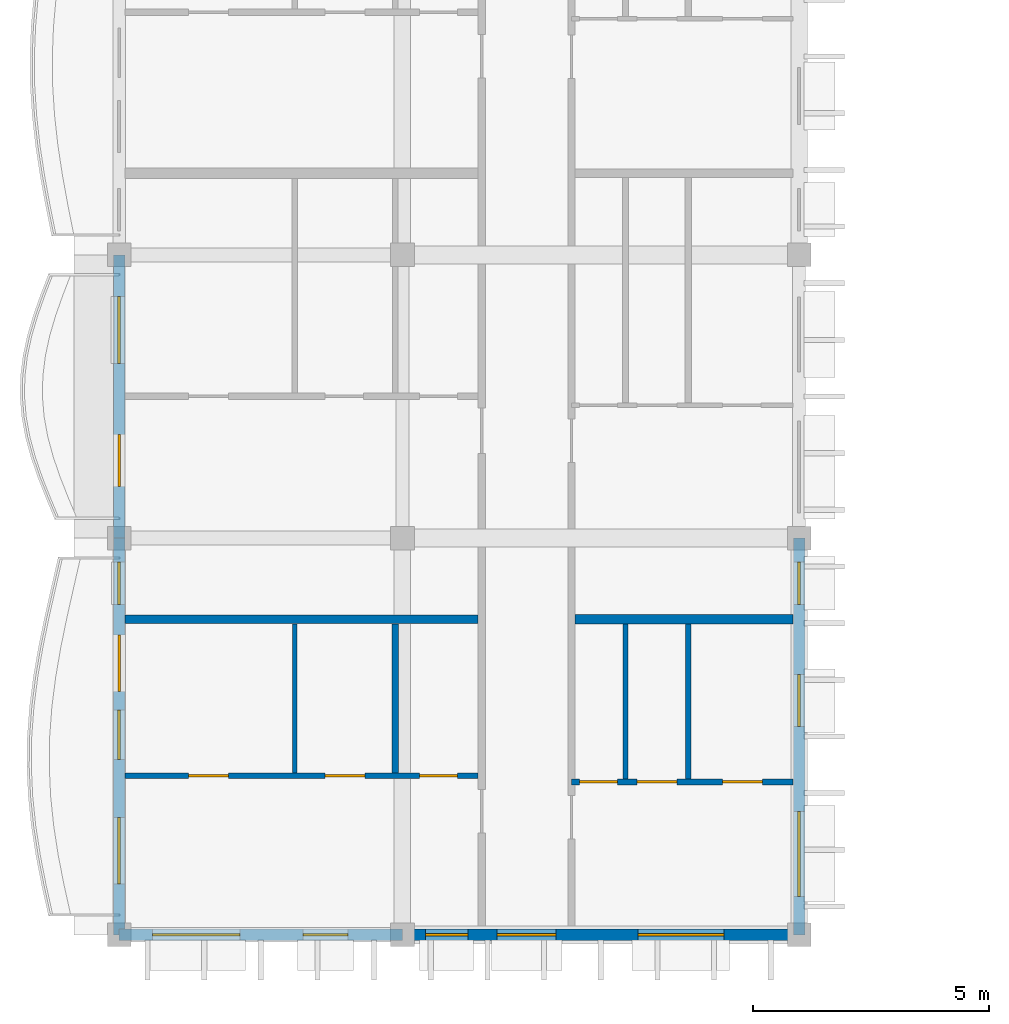
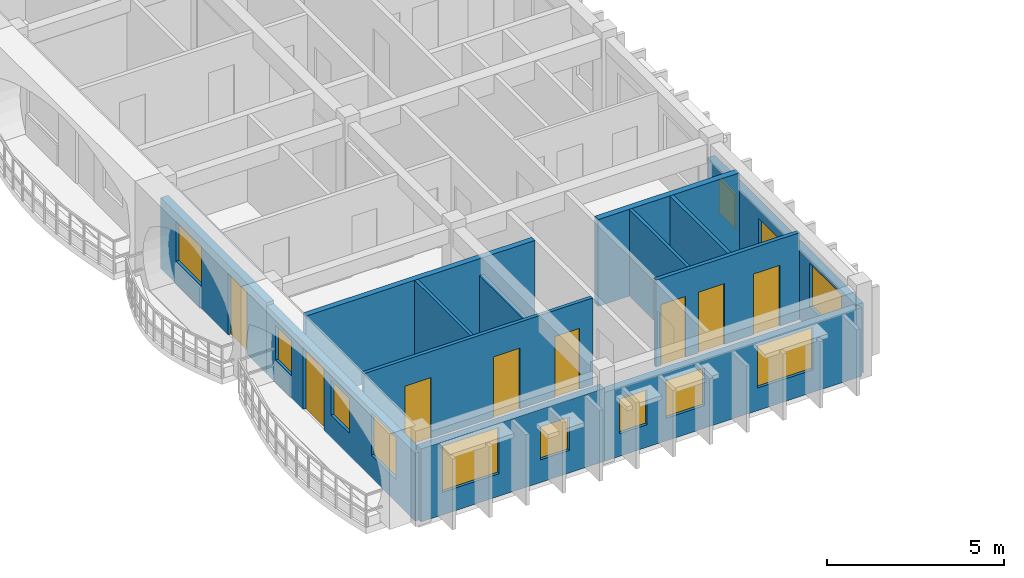
# One storey, part 6 of 28: 13 walls, 12 windows, 8 doors, 20 openings.
"""IFC4 building model written with IfcOpenShell, lengths in metres."""

from ifc_helpers import new_model, si_unit, direction, frame, frame_2d, origin, place, context, subcontext, project, spatial, rectangle, extrude, material, layer, layer_set, type_object, element, fill, save


model = new_model("IFC4")

# Units and contexts
model_context = context("Model", 3, precision=1e-05, world=origin(), true_north=direction((0.0, 1.0)))
body_context = subcontext(model_context, "Body", "Model", "MODEL_VIEW")
ifc_project = project(units=[si_unit("LENGTHUNIT", "METRE"), si_unit("AREAUNIT", "SQUARE_METRE"), si_unit("VOLUMEUNIT", "CUBIC_METRE"), si_unit("PLANEANGLEUNIT", "RADIAN"), si_unit("MASSUNIT", "GRAM", prefix="KILO"), si_unit("THERMODYNAMICTEMPERATUREUNIT", "KELVIN")], contexts=[model_context])

# Site, building, storey
site_placement = place(None, origin())
site = spatial("IfcSite", under=ifc_project, at=site_placement, CompositionType="ELEMENT")
building_placement = place(site_placement, origin())
building = spatial("IfcBuilding", under=site, at=building_placement, Name="Thalorik Housing Commons", CompositionType="ELEMENT")
storey_placement = place(building_placement, frame((0.0, 0.0, 41.10009765625)))
storey = spatial("IfcBuildingStorey", under=building, at=storey_placement, Name="L12", CompositionType="ELEMENT", Elevation=41.10009765625)

# Wall, openings, door, window
ifc_material_1 = material(Name="White precast concrete C40/50", Category="concrete")
ifc_layer_1 = layer(ifc_material_1, 0.2451171875, Name="White precast concrete C40/50", Category="concrete")
ifc_layer_set_1 = layer_set([ifc_layer_1], Name="White precast concrete C40/50")
wall_type_1 = type_object("IfcWallType", Name="ARC-WAL-EXT-245", PredefinedType="STANDARD", material=ifc_layer_set_1)
wall_1_placement = place(storey_placement, frame((8.39990234375, 100.800048828125, 0.0), z_axis=(0.0, 0.0, 1.0), x_axis=(0.0, -1.0, 0.0)))
wall_1 = element("IfcWall", 1, at=wall_1_placement, inside=storey, type_object=wall_type_1, Name="L12 Exterior Wall WAL-EXT-L12-A-0308", PredefinedType="STANDARD", context=body_context, shape_type="SweptSolid", body=[
    extrude(rectangle(XDim=6.0, YDim=0.2451171875, at=frame_2d((3.0, 0.0))), origin(), (0.0, 0.0, 1.0), 2.44482421875),
])
opening_1_placement = place(wall_1_placement, frame((3.802490234375, 0.0, 0.0)))
opening_1 = element("IfcOpeningElement", 2, at=opening_1_placement, cuts=wall_1, Name="Opening ED-0099", PredefinedType="OPENING", context=body_context, shape_type="SweptSolid", body=[
    extrude(rectangle(XDim=1.10009765625, YDim=2.14990234375, at=frame_2d((0.550048828125, 1.074951171875))), frame((0.0, 0.132568359375, 0.0), z_axis=(0.0, -1.0, 0.0), x_axis=(1.0, 0.0, 0.0)), (0.0, 0.0, 1.0), 0.26513671875),
])
opening_2_placement = place(wall_1_placement, frame((0.882568359375, 0.0, 0.780029296875)))
opening_2 = element("IfcOpeningElement", 3, at=opening_2_placement, cuts=wall_1, Name="Opening W-50", PredefinedType="OPENING", context=body_context, shape_type="SweptSolid", body=[
    extrude(rectangle(XDim=1.419921875, YDim=1.3798828125, at=frame_2d((0.7099609375, 0.68994140625))), frame((0.0, 0.132568359375, 0.0), z_axis=(0.0, -1.0, 0.0), x_axis=(1.0, 0.0, 0.0)), (0.0, 0.0, 1.0), 0.26513671875),
])
ifc_material_2 = material(Name="Anodised aluminium and laminated safety glass", Category="aluminium")
door_type_1 = type_object("IfcDoorType", Name="ARC-DR-BAL-1100", OperationType="NOTDEFINED", PredefinedType="DOOR", material=ifc_material_2)
door_1_placement = place(opening_1_placement, frame((1.10009765625, 0.0, 0.0), z_axis=(0.0, 0.0, 1.0), x_axis=(-1.0, 0.0, 0.0)))
door_1 = element("IfcDoor", 4, at=door_1_placement, inside=storey, type_object=door_type_1, Name="L12 Block A Balcony Glazed Door", OperationType="SINGLE_SWING_RIGHT", OverallHeight=2.14990234375, OverallWidth=1.10009765625, PredefinedType="DOOR", context=body_context, shape_type="SweptSolid", body=[
    extrude(rectangle(XDim=1.10009765625, YDim=2.14990234375, at=frame_2d((0.550048828125, 1.074951171875))), frame((0.0, 0.02490234375, 0.0), z_axis=(0.0, -1.0, 0.0), x_axis=(1.0, 0.0, 0.0)), (0.0, 0.0, 1.0), 0.050048828125),
])
fill(opening_1, door_1)
ifc_material_3 = material(Name="Anodised aluminium and solar-control low-E glass", Category="aluminium")
window_type_1 = type_object("IfcWindowType", Name="ARC-WIN-50", PartitioningType="SINGLE_PANEL", PredefinedType="WINDOW", material=ifc_material_3)
window_1_placement = place(opening_2_placement, origin())
window_1 = element("IfcWindow", 5, at=window_1_placement, inside=storey, type_object=window_type_1, Name="L12 Facade Window 552", OverallHeight=1.3798828125, OverallWidth=1.419921875, PartitioningType="SINGLE_PANEL", PredefinedType="WINDOW", context=body_context, shape_type="SweptSolid", body=[
    extrude(rectangle(XDim=1.419921875, YDim=1.3798828125, at=frame_2d((0.7099609375, 0.68994140625))), frame((0.0, 0.030029296875, 0.0), z_axis=(0.0, -1.0, 0.0), x_axis=(1.0, 0.0, 0.0)), (0.0, 0.0, 1.0), 0.06005859375),
])
fill(opening_2, window_1)

# Wall, openings, door, windows
wall_2_placement = place(storey_placement, frame((8.39990234375, 94.800048828125, 0.0), z_axis=(0.0, 0.0, 1.0), x_axis=(0.0, -1.0, 0.0)))
wall_2 = element("IfcWall", 6, at=wall_2_placement, inside=storey, type_object=wall_type_1, Name="L12 Exterior Wall WAL-EXT-L12-A-0309", PredefinedType="STANDARD", context=body_context, shape_type="SweptSolid", body=[
    extrude(rectangle(XDim=8.400146484375, YDim=0.2451171875, at=frame_2d((4.2001953125, 0.0))), origin(), (0.0, 0.0, 1.0), 2.344970703125),
])
opening_3_placement = place(wall_2_placement, frame((2.050048828125, 0.0, 0.0)))
opening_3 = element("IfcOpeningElement", 7, at=opening_3_placement, cuts=wall_2, Name="Opening ED-0100", PredefinedType="OPENING", context=body_context, shape_type="SweptSolid", body=[
    extrude(rectangle(XDim=1.199951171875, YDim=2.14990234375, at=frame_2d((0.60009765625, 1.074951171875))), frame((0.0, 0.132568359375, 0.0), z_axis=(0.0, -1.0, 0.0), x_axis=(1.0, 0.0, 0.0)), (0.0, 0.0, 1.0), 0.26513671875),
])
opening_4_placement = place(wall_2_placement, frame((0.5048828125, 0.0, 0.780029296875)))
opening_4 = element("IfcOpeningElement", 8, at=opening_4_placement, cuts=wall_2, Name="Opening W-01", PredefinedType="OPENING", context=body_context, shape_type="SweptSolid", body=[
    extrude(rectangle(XDim=0.89990234375, YDim=1.199951171875, at=frame_2d((0.449951171875, 0.60009765625))), frame((0.0, 0.132568359375, 0.0), z_axis=(0.0, -1.0, 0.0), x_axis=(1.0, 0.0, 0.0)), (0.0, 0.0, 1.0), 0.26513671875),
])
opening_5_placement = place(wall_2_placement, frame((3.639892578125, 0.0, 0.780029296875)))
opening_5 = element("IfcOpeningElement", 9, at=opening_5_placement, cuts=wall_2, Name="Opening W-44", PredefinedType="OPENING", context=body_context, shape_type="SweptSolid", body=[
    extrude(rectangle(XDim=1.050048828125, YDim=1.199951171875, at=frame_2d((0.52490234375, 0.60009765625))), frame((0.0, 0.132568359375, 0.0), z_axis=(0.0, -1.0, 0.0), x_axis=(1.0, 0.0, 0.0)), (0.0, 0.0, 1.0), 0.26513671875),
])
opening_6_placement = place(wall_2_placement, frame((5.919921875, 0.0, 0.780029296875)))
opening_6 = element("IfcOpeningElement", 10, at=opening_6_placement, cuts=wall_2, Name="Opening W-08", PredefinedType="OPENING", context=body_context, shape_type="SweptSolid", body=[
    extrude(rectangle(XDim=1.39990234375, YDim=1.449951171875, at=frame_2d((0.699951171875, 0.72509765625))), frame((0.0, 0.132568359375, 0.0), z_axis=(0.0, -1.0, 0.0), x_axis=(1.0, 0.0, 0.0)), (0.0, 0.0, 1.0), 0.26513671875),
])
door_type_2 = type_object("IfcDoorType", Name="ARC-DR-BAL-1200", OperationType="NOTDEFINED", PredefinedType="DOOR", material=ifc_material_2)
door_2_placement = place(opening_3_placement, frame((1.199951171875, 0.0, 0.0), z_axis=(0.0, 0.0, 1.0), x_axis=(-1.0, 0.0, 0.0)))
door_2 = element("IfcDoor", 11, at=door_2_placement, inside=storey, type_object=door_type_2, Name="L12 Block A Balcony Glazed Door", OperationType="SINGLE_SWING_LEFT", OverallHeight=2.14990234375, OverallWidth=1.199951171875, PredefinedType="DOOR", context=body_context, shape_type="SweptSolid", body=[
    extrude(rectangle(XDim=1.199951171875, YDim=2.14990234375, at=frame_2d((0.60009765625, 1.074951171875))), frame((0.0, 0.02490234375, 0.0), z_axis=(0.0, -1.0, 0.0), x_axis=(1.0, 0.0, 0.0)), (0.0, 0.0, 1.0), 0.050048828125),
])
fill(opening_3, door_2)
window_type_2 = type_object("IfcWindowType", Name="ARC-WIN-01", PartitioningType="SINGLE_PANEL", PredefinedType="WINDOW", material=ifc_material_3)
window_2_placement = place(opening_4_placement, origin())
window_2 = element("IfcWindow", 12, at=window_2_placement, inside=storey, type_object=window_type_2, Name="L12 Facade Window 553", OverallHeight=1.199951171875, OverallWidth=0.89990234375, PartitioningType="SINGLE_PANEL", PredefinedType="WINDOW", context=body_context, shape_type="SweptSolid", body=[
    extrude(rectangle(XDim=0.89990234375, YDim=1.199951171875, at=frame_2d((0.449951171875, 0.60009765625))), frame((0.0, 0.030029296875, 0.0), z_axis=(0.0, -1.0, 0.0), x_axis=(1.0, 0.0, 0.0)), (0.0, 0.0, 1.0), 0.06005859375),
])
fill(opening_4, window_2)
window_type_3 = type_object("IfcWindowType", Name="ARC-WIN-08", PartitioningType="SINGLE_PANEL", PredefinedType="WINDOW", material=ifc_material_3)
window_3_placement = place(opening_6_placement, origin())
window_3 = element("IfcWindow", 13, at=window_3_placement, inside=storey, type_object=window_type_3, Name="L12 Facade Window 555", OverallHeight=1.449951171875, OverallWidth=1.39990234375, PartitioningType="SINGLE_PANEL", PredefinedType="WINDOW", context=body_context, shape_type="SweptSolid", body=[
    extrude(rectangle(XDim=1.39990234375, YDim=1.449951171875, at=frame_2d((0.699951171875, 0.72509765625))), frame((0.0, 0.030029296875, 0.0), z_axis=(0.0, -1.0, 0.0), x_axis=(1.0, 0.0, 0.0)), (0.0, 0.0, 1.0), 0.06005859375),
])
fill(opening_6, window_3)
window_type_4 = type_object("IfcWindowType", Name="ARC-WIN-44", PartitioningType="SINGLE_PANEL", PredefinedType="WINDOW", material=ifc_material_3)
window_4_placement = place(opening_5_placement, origin())
window_4 = element("IfcWindow", 14, at=window_4_placement, inside=storey, type_object=window_type_4, Name="L12 Facade Window 554", OverallHeight=1.199951171875, OverallWidth=1.050048828125, PartitioningType="SINGLE_PANEL", PredefinedType="WINDOW", context=body_context, shape_type="SweptSolid", body=[
    extrude(rectangle(XDim=1.050048828125, YDim=1.199951171875, at=frame_2d((0.52490234375, 0.60009765625))), frame((0.0, 0.030029296875, 0.0), z_axis=(0.0, -1.0, 0.0), x_axis=(1.0, 0.0, 0.0)), (0.0, 0.0, 1.0), 0.06005859375),
])
fill(opening_5, window_4)

# Wall, openings, windows
wall_3_placement = place(storey_placement, frame((8.39990234375, 86.39990234375, 0.0), z_axis=(0.0, 0.0, 1.0), x_axis=(1.0, 0.0, 0.0)))
wall_3 = element("IfcWall", 15, at=wall_3_placement, inside=storey, type_object=wall_type_1, Name="L12 Exterior Wall WAL-EXT-L12-A-0310", PredefinedType="STANDARD", context=body_context, shape_type="SweptSolid", body=[
    extrude(rectangle(XDim=6.0, YDim=0.2451171875, at=frame_2d((3.0, 0.0))), origin(), (0.0, 0.0, 1.0), 2.52490234375),
])
opening_7_placement = place(wall_3_placement, frame((0.705078125, 0.0, 0.780029296875)))
opening_7 = element("IfcOpeningElement", 16, at=opening_7_placement, cuts=wall_3, Name="Opening W-20", PredefinedType="OPENING", context=body_context, shape_type="SweptSolid", body=[
    extrude(rectangle(XDim=1.85009765625, YDim=1.60009765625, at=frame_2d((0.925048828125, 0.800048828125))), frame((0.0, 0.132568359375, 0.0), z_axis=(0.0, -1.0, 0.0), x_axis=(1.0, 0.0, 0.0)), (0.0, 0.0, 1.0), 0.26513671875),
])
opening_8_placement = place(wall_3_placement, frame((3.89501953125, 0.0, 0.780029296875)))
opening_8 = element("IfcOpeningElement", 17, at=opening_8_placement, cuts=wall_3, Name="Opening W-43", PredefinedType="OPENING", context=body_context, shape_type="SweptSolid", body=[
    extrude(rectangle(XDim=0.949951171875, YDim=1.14990234375, at=frame_2d((0.47509765625, 0.574951171875))), frame((0.0, 0.132568359375, 0.0), z_axis=(0.0, -1.0, 0.0), x_axis=(1.0, 0.0, 0.0)), (0.0, 0.0, 1.0), 0.26513671875),
])
window_type_5 = type_object("IfcWindowType", Name="ARC-WIN-20", PartitioningType="DOUBLE_PANEL_VERTICAL", PredefinedType="WINDOW", material=ifc_material_3)
window_5_placement = place(opening_7_placement, origin())
window_5 = element("IfcWindow", 18, at=window_5_placement, inside=storey, type_object=window_type_5, Name="L12 Facade Window 556", OverallHeight=1.60009765625, OverallWidth=1.85009765625, PartitioningType="DOUBLE_PANEL_VERTICAL", PredefinedType="WINDOW", context=body_context, shape_type="SweptSolid", body=[
    extrude(rectangle(XDim=1.85009765625, YDim=1.60009765625, at=frame_2d((0.925048828125, 0.800048828125))), frame((0.0, 0.030029296875, 0.0), z_axis=(0.0, -1.0, 0.0), x_axis=(1.0, 0.0, 0.0)), (0.0, 0.0, 1.0), 0.06005859375),
])
fill(opening_7, window_5)
window_type_6 = type_object("IfcWindowType", Name="ARC-WIN-43", PartitioningType="SINGLE_PANEL", PredefinedType="WINDOW", material=ifc_material_3)
window_6_placement = place(opening_8_placement, origin())
window_6 = element("IfcWindow", 19, at=window_6_placement, inside=storey, type_object=window_type_6, Name="L12 Facade Window 557", OverallHeight=1.14990234375, OverallWidth=0.949951171875, PartitioningType="SINGLE_PANEL", PredefinedType="WINDOW", context=body_context, shape_type="SweptSolid", body=[
    extrude(rectangle(XDim=0.949951171875, YDim=1.14990234375, at=frame_2d((0.47509765625, 0.574951171875))), frame((0.0, 0.030029296875, 0.0), z_axis=(0.0, -1.0, 0.0), x_axis=(1.0, 0.0, 0.0)), (0.0, 0.0, 1.0), 0.06005859375),
])
fill(opening_8, window_6)

wall_4_placement = place(storey_placement, frame((14.39990234375, 86.39990234375, 0.0), z_axis=(0.0, 0.0, 1.0), x_axis=(1.0, 0.0, 0.0)))
wall_4 = element("IfcWall", 20, at=wall_4_placement, inside=storey, type_object=wall_type_1, Name="L12 Exterior Wall WAL-EXT-L12-A-0311", PredefinedType="STANDARD", context=body_context, shape_type="SweptSolid", body=[
    extrude(rectangle(XDim=8.400146484375, YDim=0.2451171875, at=frame_2d((4.2001953125, 0.0))), origin(), (0.0, 0.0, 1.0), 2.375),
])
opening_9_placement = place(wall_4_placement, frame((0.485107421875, 0.0, 0.780029296875)))
opening_9 = element("IfcOpeningElement", 21, at=opening_9_placement, cuts=wall_4, Name="Opening W-01", PredefinedType="OPENING", context=body_context, shape_type="SweptSolid", body=[
    extrude(rectangle(XDim=0.89990234375, YDim=1.199951171875, at=frame_2d((0.449951171875, 0.60009765625))), frame((0.0, 0.132568359375, 0.0), z_axis=(0.0, -1.0, 0.0), x_axis=(1.0, 0.0, 0.0)), (0.0, 0.0, 1.0), 0.26513671875),
])
opening_10_placement = place(wall_4_placement, frame((2.0048828125, 0.0, 0.780029296875)))
opening_10 = element("IfcOpeningElement", 22, at=opening_10_placement, cuts=wall_4, Name="Opening W-46", PredefinedType="OPENING", context=body_context, shape_type="SweptSolid", body=[
    extrude(rectangle(XDim=1.25, YDim=1.300048828125, at=frame_2d((0.625, 0.64990234375))), frame((0.0, 0.132568359375, 0.0), z_axis=(0.0, -1.0, 0.0), x_axis=(1.0, 0.0, 0.0)), (0.0, 0.0, 1.0), 0.26513671875),
])
opening_11_placement = place(wall_4_placement, frame((4.985107421875, 0.0, 0.780029296875)))
opening_11 = element("IfcOpeningElement", 23, at=opening_11_placement, cuts=wall_4, Name="Opening W-58", PredefinedType="OPENING", context=body_context, shape_type="SweptSolid", body=[
    extrude(rectangle(XDim=1.820068359375, YDim=1.4599609375, at=frame_2d((0.91015625, 0.72998046875))), frame((0.0, 0.132568359375, 0.0), z_axis=(0.0, -1.0, 0.0), x_axis=(1.0, 0.0, 0.0)), (0.0, 0.0, 1.0), 0.26513671875),
])
window_7_placement = place(opening_9_placement, origin())
window_7 = element("IfcWindow", 24, at=window_7_placement, inside=storey, type_object=window_type_2, Name="L12 Facade Window 558", OverallHeight=1.199951171875, OverallWidth=0.89990234375, PartitioningType="SINGLE_PANEL", PredefinedType="WINDOW", context=body_context, shape_type="SweptSolid", body=[
    extrude(rectangle(XDim=0.89990234375, YDim=1.199951171875, at=frame_2d((0.449951171875, 0.60009765625))), frame((0.0, 0.030029296875, 0.0), z_axis=(0.0, -1.0, 0.0), x_axis=(1.0, 0.0, 0.0)), (0.0, 0.0, 1.0), 0.06005859375),
])
fill(opening_9, window_7)
window_type_7 = type_object("IfcWindowType", Name="ARC-WIN-46", PartitioningType="SINGLE_PANEL", PredefinedType="WINDOW", material=ifc_material_3)
window_8_placement = place(opening_10_placement, origin())
window_8 = element("IfcWindow", 25, at=window_8_placement, inside=storey, type_object=window_type_7, Name="L12 Facade Window 559", OverallHeight=1.300048828125, OverallWidth=1.25, PartitioningType="SINGLE_PANEL", PredefinedType="WINDOW", context=body_context, shape_type="SweptSolid", body=[
    extrude(rectangle(XDim=1.25, YDim=1.300048828125, at=frame_2d((0.625, 0.64990234375))), frame((0.0, 0.030029296875, 0.0), z_axis=(0.0, -1.0, 0.0), x_axis=(1.0, 0.0, 0.0)), (0.0, 0.0, 1.0), 0.06005859375),
])
fill(opening_10, window_8)
window_type_8 = type_object("IfcWindowType", Name="ARC-WIN-58", PartitioningType="DOUBLE_PANEL_VERTICAL", PredefinedType="WINDOW", material=ifc_material_3)
window_9_placement = place(opening_11_placement, origin())
window_9 = element("IfcWindow", 26, at=window_9_placement, inside=storey, type_object=window_type_8, Name="L12 Facade Window 560", OverallHeight=1.4599609375, OverallWidth=1.820068359375, PartitioningType="DOUBLE_PANEL_VERTICAL", PredefinedType="WINDOW", context=body_context, shape_type="SweptSolid", body=[
    extrude(rectangle(XDim=1.820068359375, YDim=1.4599609375, at=frame_2d((0.91015625, 0.72998046875))), frame((0.0, 0.030029296875, 0.0), z_axis=(0.0, -1.0, 0.0), x_axis=(1.0, 0.0, 0.0)), (0.0, 0.0, 1.0), 0.06005859375),
])
fill(opening_11, window_9)

wall_5_placement = place(storey_placement, frame((22.800048828125, 86.39990234375, 0.0), z_axis=(0.0, 0.0, 1.0), x_axis=(0.0, 1.0, 0.0)))
wall_5 = element("IfcWall", 27, at=wall_5_placement, inside=storey, type_object=wall_type_1, Name="L12 Exterior Wall WAL-EXT-L12-A-0312", PredefinedType="STANDARD", context=body_context, shape_type="SweptSolid", body=[
    extrude(rectangle(XDim=8.400146484375, YDim=0.2451171875, at=frame_2d((4.2001953125, 0.0))), origin(), (0.0, 0.0, 1.0), 2.4248046875),
])
opening_12_placement = place(wall_5_placement, frame((0.813720703125, 0.0, 0.780029296875)))
opening_12 = element("IfcOpeningElement", 28, at=opening_12_placement, cuts=wall_5, Name="Opening W-18", PredefinedType="OPENING", context=body_context, shape_type="SweptSolid", body=[
    extrude(rectangle(XDim=1.800048828125, YDim=1.5, at=frame_2d((0.89990234375, 0.75))), frame((0.0, 0.132568359375, 0.0), z_axis=(0.0, -1.0, 0.0), x_axis=(1.0, 0.0, 0.0)), (0.0, 0.0, 1.0), 0.26513671875),
])
opening_13_placement = place(wall_5_placement, frame((4.40869140625, 0.0, 0.780029296875)))
opening_13 = element("IfcOpeningElement", 29, at=opening_13_placement, cuts=wall_5, Name="Opening W-03", PredefinedType="OPENING", context=body_context, shape_type="SweptSolid", body=[
    extrude(rectangle(XDim=1.10009765625, YDim=1.300048828125, at=frame_2d((0.550048828125, 0.64990234375))), frame((0.0, 0.132568359375, 0.0), z_axis=(0.0, -1.0, 0.0), x_axis=(1.0, 0.0, 0.0)), (0.0, 0.0, 1.0), 0.26513671875),
])
opening_14_placement = place(wall_5_placement, frame((6.9951171875, 0.0, 0.780029296875)))
opening_14 = element("IfcOpeningElement", 30, at=opening_14_placement, cuts=wall_5, Name="Opening W-01", PredefinedType="OPENING", context=body_context, shape_type="SweptSolid", body=[
    extrude(rectangle(XDim=0.89990234375, YDim=1.199951171875, at=frame_2d((0.449951171875, 0.60009765625))), frame((0.0, 0.132568359375, 0.0), z_axis=(0.0, -1.0, 0.0), x_axis=(1.0, 0.0, 0.0)), (0.0, 0.0, 1.0), 0.26513671875),
])
window_10_placement = place(opening_14_placement, origin())
window_10 = element("IfcWindow", 31, at=window_10_placement, inside=storey, type_object=window_type_2, Name="L12 Facade Window 563", OverallHeight=1.199951171875, OverallWidth=0.89990234375, PartitioningType="SINGLE_PANEL", PredefinedType="WINDOW", context=body_context, shape_type="SweptSolid", body=[
    extrude(rectangle(XDim=0.89990234375, YDim=1.199951171875, at=frame_2d((0.449951171875, 0.60009765625))), frame((0.0, 0.030029296875, 0.0), z_axis=(0.0, -1.0, 0.0), x_axis=(1.0, 0.0, 0.0)), (0.0, 0.0, 1.0), 0.06005859375),
])
fill(opening_14, window_10)
window_type_9 = type_object("IfcWindowType", Name="ARC-WIN-03", PartitioningType="SINGLE_PANEL", PredefinedType="WINDOW", material=ifc_material_3)
window_11_placement = place(opening_13_placement, origin())
window_11 = element("IfcWindow", 32, at=window_11_placement, inside=storey, type_object=window_type_9, Name="L12 Facade Window 562", OverallHeight=1.300048828125, OverallWidth=1.10009765625, PartitioningType="SINGLE_PANEL", PredefinedType="WINDOW", context=body_context, shape_type="SweptSolid", body=[
    extrude(rectangle(XDim=1.10009765625, YDim=1.300048828125, at=frame_2d((0.550048828125, 0.64990234375))), frame((0.0, 0.030029296875, 0.0), z_axis=(0.0, -1.0, 0.0), x_axis=(1.0, 0.0, 0.0)), (0.0, 0.0, 1.0), 0.06005859375),
])
fill(opening_13, window_11)
window_type_10 = type_object("IfcWindowType", Name="ARC-WIN-18", PartitioningType="DOUBLE_PANEL_VERTICAL", PredefinedType="WINDOW", material=ifc_material_3)
window_12_placement = place(opening_12_placement, origin())
window_12 = element("IfcWindow", 33, at=window_12_placement, inside=storey, type_object=window_type_10, Name="L12 Facade Window 561", OverallHeight=1.5, OverallWidth=1.800048828125, PartitioningType="DOUBLE_PANEL_VERTICAL", PredefinedType="WINDOW", context=body_context, shape_type="SweptSolid", body=[
    extrude(rectangle(XDim=1.800048828125, YDim=1.5, at=frame_2d((0.89990234375, 0.75))), frame((0.0, 0.030029296875, 0.0), z_axis=(0.0, -1.0, 0.0), x_axis=(1.0, 0.0, 0.0)), (0.0, 0.0, 1.0), 0.06005859375),
])
fill(opening_12, window_12)

# Walls
ifc_material_4 = material(Name="Gypsum light stud partition", Category="masonry")
ifc_layer_2 = layer(ifc_material_4, 0.10009765625, Name="Gypsum light stud partition", Category="masonry")
ifc_layer_set_2 = layer_set([ifc_layer_2], Name="Gypsum light stud partition")
wall_type_2 = type_object("IfcWallType", Name="ARC-WAL-PART-100", PredefinedType="PARTITIONING", material=ifc_layer_set_2)
wall_6_placement = place(storey_placement, frame((12.11767578125, 89.82958984375, 0.0), z_axis=(0.0, 0.0, 1.0), x_axis=(0.0, 1.0, 0.0)))
element("IfcWall", 34, at=wall_6_placement, inside=storey, type_object=wall_type_2, Name="L12 Unit 1 Bedroom Partition", PredefinedType="PARTITIONING", context=body_context, shape_type="SweptSolid", body=[
    extrude(rectangle(XDim=3.156005859375, YDim=0.10009765625, at=frame_2d((1.578125, 0.0))), origin(), (0.0, 0.0, 1.0), 3.0),
])
wall_7_placement = place(storey_placement, frame((19.122314453125, 89.7021484375, 0.0), z_axis=(0.0, 0.0, 1.0), x_axis=(0.0, 1.0, 0.0)))
element("IfcWall", 35, at=wall_7_placement, inside=storey, type_object=wall_type_2, Name="L12 Unit 1B Wet Wall", PredefinedType="PARTITIONING", context=body_context, shape_type="SweptSolid", body=[
    extrude(rectangle(XDim=3.27587890625, YDim=0.10009765625, at=frame_2d((1.637939453125, 0.0))), origin(), (0.0, 0.0, 1.0), 3.0),
])

# Wall, openings, doors
ifc_material_5 = material(Name="Gypsum moisture-resistant partition", Category="masonry")
ifc_layer_3 = layer(ifc_material_5, 0.114990234375, Name="Gypsum moisture-resistant partition", Category="masonry")
ifc_layer_set_3 = layer_set([ifc_layer_3], Name="Gypsum moisture-resistant partition")
wall_type_3 = type_object("IfcWallType", Name="ARC-WAL-PART-115", PredefinedType="PARTITIONING", material=ifc_layer_set_3)
wall_8_placement = place(storey_placement, frame((8.5244140625, 89.77001953125, 0.0), z_axis=(0.0, 0.0, 1.0), x_axis=(1.0, 0.0, 0.0)))
wall_8 = element("IfcWall", 36, at=wall_8_placement, inside=storey, type_object=wall_type_3, Name="L12 Unit 1 Spine Partition", PredefinedType="PARTITIONING", context=body_context, shape_type="SweptSolid", body=[
    extrude(rectangle(XDim=7.47119140625, YDim=0.114990234375, at=frame_2d((3.735595703125, 0.0))), origin(), (0.0, 0.0, 1.0), 3.0),
])
opening_15_placement = place(wall_8_placement, frame((1.33935546875, 0.0, 0.0)))
opening_15 = element("IfcOpeningElement", 37, at=opening_15_placement, cuts=wall_8, Name="Opening ID-0901", PredefinedType="OPENING", context=body_context, shape_type="SweptSolid", body=[
    extrude(rectangle(XDim=0.85009765625, YDim=2.10009765625, at=frame_2d((0.425048828125, 1.050048828125))), frame((0.0, 0.0673828125, 0.0), z_axis=(0.0, -1.0, 0.0), x_axis=(1.0, 0.0, 0.0)), (0.0, 0.0, 1.0), 0.135009765625),
])
opening_16_placement = place(wall_8_placement, frame((4.23486328125, 0.0, 0.0)))
opening_16 = element("IfcOpeningElement", 38, at=opening_16_placement, cuts=wall_8, Name="Opening ID-0902", PredefinedType="OPENING", context=body_context, shape_type="SweptSolid", body=[
    extrude(rectangle(XDim=0.85009765625, YDim=2.10009765625, at=frame_2d((0.425048828125, 1.050048828125))), frame((0.0, 0.0673828125, 0.0), z_axis=(0.0, -1.0, 0.0), x_axis=(1.0, 0.0, 0.0)), (0.0, 0.0, 1.0), 0.135009765625),
])
opening_17_placement = place(wall_8_placement, frame((6.2412109375, 0.0, 0.0)))
opening_17 = element("IfcOpeningElement", 39, at=opening_17_placement, cuts=wall_8, Name="Opening ID-0903", PredefinedType="OPENING", context=body_context, shape_type="SweptSolid", body=[
    extrude(rectangle(XDim=0.800048828125, YDim=2.10009765625, at=frame_2d((0.39990234375, 1.050048828125))), frame((0.0, 0.0673828125, 0.0), z_axis=(0.0, -1.0, 0.0), x_axis=(1.0, 0.0, 0.0)), (0.0, 0.0, 1.0), 0.135009765625),
])
ifc_material_6 = material(Name="Moisture-resistant timber", Category="wood")
door_type_3 = type_object("IfcDoorType", Name="ARC-DR-INT-800", OperationType="NOTDEFINED", PredefinedType="DOOR", material=ifc_material_6)
door_3_placement = place(opening_17_placement, origin())
door_3 = element("IfcDoor", 40, at=door_3_placement, inside=storey, type_object=door_type_3, Name="L12 Flat Bathroom Door", OperationType="SINGLE_SWING_RIGHT", OverallHeight=2.10009765625, OverallWidth=0.800048828125, PredefinedType="DOOR", context=body_context, shape_type="SweptSolid", body=[
    extrude(rectangle(XDim=0.800048828125, YDim=2.10009765625, at=frame_2d((0.39990234375, 1.050048828125))), frame((0.0, 0.02490234375, 0.0), z_axis=(0.0, -1.0, 0.0), x_axis=(1.0, 0.0, 0.0)), (0.0, 0.0, 1.0), 0.050048828125),
])
fill(opening_17, door_3)
ifc_material_7 = material(Name="Engineered oak timber", Category="wood")
door_type_4 = type_object("IfcDoorType", Name="ARC-DR-INT-850", OperationType="NOTDEFINED", PredefinedType="DOOR", material=ifc_material_7)
door_4_placement = place(opening_15_placement, origin())
door_4 = element("IfcDoor", 41, at=door_4_placement, inside=storey, type_object=door_type_4, Name="L12 Single Bedroom Door", OperationType="SINGLE_SWING_RIGHT", OverallHeight=2.10009765625, OverallWidth=0.85009765625, PredefinedType="DOOR", context=body_context, shape_type="SweptSolid", body=[
    extrude(rectangle(XDim=0.85009765625, YDim=2.10009765625, at=frame_2d((0.425048828125, 1.050048828125))), frame((0.0, 0.02490234375, 0.0), z_axis=(0.0, -1.0, 0.0), x_axis=(1.0, 0.0, 0.0)), (0.0, 0.0, 1.0), 0.050048828125),
])
fill(opening_15, door_4)
door_5_placement = place(opening_16_placement, origin())
door_5 = element("IfcDoor", 42, at=door_5_placement, inside=storey, type_object=door_type_4, Name="L12 Galley Kitchen Door", OperationType="SINGLE_SWING_LEFT", OverallHeight=2.10009765625, OverallWidth=0.85009765625, PredefinedType="DOOR", context=body_context, shape_type="SweptSolid", body=[
    extrude(rectangle(XDim=0.85009765625, YDim=2.10009765625, at=frame_2d((0.425048828125, 1.050048828125))), frame((0.0, 0.02490234375, 0.0), z_axis=(0.0, -1.0, 0.0), x_axis=(1.0, 0.0, 0.0)), (0.0, 0.0, 1.0), 0.050048828125),
])
fill(opening_16, door_5)

# Wall
wall_9_placement = place(storey_placement, frame((20.455078125, 89.7021484375, 0.0), z_axis=(0.0, 0.0, 1.0), x_axis=(0.0, 1.0, 0.0)))
element("IfcWall", 43, at=wall_9_placement, inside=storey, type_object=wall_type_3, Name="L12 Unit 1B Bedroom Partition", PredefinedType="PARTITIONING", context=body_context, shape_type="SweptSolid", body=[
    extrude(rectangle(XDim=3.27587890625, YDim=0.114990234375, at=frame_2d((1.637939453125, 0.0))), origin(), (0.0, 0.0, 1.0), 3.0),
])

# Wall, openings, doors
ifc_material_8 = material(Name="Gypsum acoustic stud partition", Category="masonry")
ifc_layer_4 = layer(ifc_material_8, 0.125, Name="Gypsum acoustic stud partition", Category="masonry")
ifc_layer_set_4 = layer_set([ifc_layer_4], Name="Gypsum acoustic stud partition")
wall_type_4 = type_object("IfcWallType", Name="ARC-WAL-PART-125", PredefinedType="PARTITIONING", material=ifc_layer_set_4)
wall_10_placement = place(storey_placement, frame((17.97998046875, 89.6376953125, 0.0), z_axis=(0.0, 0.0, 1.0), x_axis=(1.0, 0.0, 0.0)))
wall_10 = element("IfcWall", 44, at=wall_10_placement, inside=storey, type_object=wall_type_4, Name="L12 Unit 1B Spine Partition", PredefinedType="PARTITIONING", context=body_context, shape_type="SweptSolid", body=[
    extrude(rectangle(XDim=4.695556640625, YDim=0.125, at=frame_2d((2.34765625, 0.0))), origin(), (0.0, 0.0, 1.0), 3.0),
])
opening_18_placement = place(wall_10_placement, frame((0.171142578125, 0.0, 0.0)))
opening_18 = element("IfcOpeningElement", 45, at=opening_18_placement, cuts=wall_10, Name="Opening ID-0904", PredefinedType="OPENING", context=body_context, shape_type="SweptSolid", body=[
    extrude(rectangle(XDim=0.800048828125, YDim=2.10009765625, at=frame_2d((0.39990234375, 1.050048828125))), frame((0.0, 0.072509765625, 0.0), z_axis=(0.0, -1.0, 0.0), x_axis=(1.0, 0.0, 0.0)), (0.0, 0.0, 1.0), 0.14501953125),
])
opening_19_placement = place(wall_10_placement, frame((1.3837890625, 0.0, 0.0)))
opening_19 = element("IfcOpeningElement", 46, at=opening_19_placement, cuts=wall_10, Name="Opening ID-0905", PredefinedType="OPENING", context=body_context, shape_type="SweptSolid", body=[
    extrude(rectangle(XDim=0.85009765625, YDim=2.10009765625, at=frame_2d((0.425048828125, 1.050048828125))), frame((0.0, 0.072509765625, 0.0), z_axis=(0.0, -1.0, 0.0), x_axis=(1.0, 0.0, 0.0)), (0.0, 0.0, 1.0), 0.14501953125),
])
opening_20_placement = place(wall_10_placement, frame((3.192626953125, 0.0, 0.0)))
opening_20 = element("IfcOpeningElement", 47, at=opening_20_placement, cuts=wall_10, Name="Opening ID-0906", PredefinedType="OPENING", context=body_context, shape_type="SweptSolid", body=[
    extrude(rectangle(XDim=0.85009765625, YDim=2.10009765625, at=frame_2d((0.425048828125, 1.050048828125))), frame((0.0, 0.072509765625, 0.0), z_axis=(0.0, -1.0, 0.0), x_axis=(1.0, 0.0, 0.0)), (0.0, 0.0, 1.0), 0.14501953125),
])
door_6_placement = place(opening_18_placement, origin())
door_6 = element("IfcDoor", 48, at=door_6_placement, inside=storey, type_object=door_type_3, Name="L12 Flat Bathroom Door", OperationType="SINGLE_SWING_LEFT", OverallHeight=2.10009765625, OverallWidth=0.800048828125, PredefinedType="DOOR", context=body_context, shape_type="SweptSolid", body=[
    extrude(rectangle(XDim=0.800048828125, YDim=2.10009765625, at=frame_2d((0.39990234375, 1.050048828125))), frame((0.0, 0.02490234375, 0.0), z_axis=(0.0, -1.0, 0.0), x_axis=(1.0, 0.0, 0.0)), (0.0, 0.0, 1.0), 0.050048828125),
])
fill(opening_18, door_6)
door_7_placement = place(opening_19_placement, origin())
door_7 = element("IfcDoor", 49, at=door_7_placement, inside=storey, type_object=door_type_4, Name="L12 Galley Kitchen Door", OperationType="SINGLE_SWING_RIGHT", OverallHeight=2.10009765625, OverallWidth=0.85009765625, PredefinedType="DOOR", context=body_context, shape_type="SweptSolid", body=[
    extrude(rectangle(XDim=0.85009765625, YDim=2.10009765625, at=frame_2d((0.425048828125, 1.050048828125))), frame((0.0, 0.02490234375, 0.0), z_axis=(0.0, -1.0, 0.0), x_axis=(1.0, 0.0, 0.0)), (0.0, 0.0, 1.0), 0.050048828125),
])
fill(opening_19, door_7)
door_8_placement = place(opening_20_placement, origin())
door_8 = element("IfcDoor", 50, at=door_8_placement, inside=storey, type_object=door_type_4, Name="L12 Double Bedroom Door", OperationType="SINGLE_SWING_LEFT", OverallHeight=2.10009765625, OverallWidth=0.85009765625, PredefinedType="DOOR", context=body_context, shape_type="SweptSolid", body=[
    extrude(rectangle(XDim=0.85009765625, YDim=2.10009765625, at=frame_2d((0.425048828125, 1.050048828125))), frame((0.0, 0.02490234375, 0.0), z_axis=(0.0, -1.0, 0.0), x_axis=(1.0, 0.0, 0.0)), (0.0, 0.0, 1.0), 0.050048828125),
])
fill(opening_20, door_8)

# Walls
ifc_material_9 = material(Name="Ceramic masonry partition wall", Category="masonry")
ifc_layer_5 = layer(ifc_material_9, 0.139892578125, Name="Ceramic masonry partition wall", Category="masonry")
ifc_layer_set_5 = layer_set([ifc_layer_5], Name="Ceramic masonry partition wall")
wall_type_5 = type_object("IfcWallType", Name="ARC-WAL-PART-140", PredefinedType="PARTITIONING", material=ifc_layer_set_5)
wall_11_placement = place(storey_placement, frame((14.251220703125, 89.82958984375, 0.0), z_axis=(0.0, 0.0, 1.0), x_axis=(0.0, 1.0, 0.0)))
element("IfcWall", 51, at=wall_11_placement, inside=storey, type_object=wall_type_5, Name="L12 Unit 1 Wet Wall", PredefinedType="PARTITIONING", context=body_context, shape_type="SweptSolid", body=[
    extrude(rectangle(XDim=3.156005859375, YDim=0.139892578125, at=frame_2d((1.578125, 0.0))), origin(), (0.0, 0.0, 1.0), 2.4248046875),
])
ifc_material_10 = material(Name="Masonry acoustic blockwork wall", Category="masonry")
ifc_layer_6 = layer(ifc_material_10, 0.18505859375, Name="Masonry acoustic blockwork wall", Category="masonry")
ifc_layer_set_6 = layer_set([ifc_layer_6], Name="Masonry acoustic blockwork wall")
wall_type_6 = type_object("IfcWallType", Name="ARC-WAL-PARTY-185", PredefinedType="PARTITIONING", material=ifc_layer_set_6)
wall_12_placement = place(storey_placement, frame((8.5244140625, 93.080078125, 0.0), z_axis=(0.0, 0.0, 1.0), x_axis=(1.0, 0.0, 0.0)))
element("IfcWall", 52, at=wall_12_placement, inside=storey, type_object=wall_type_6, Name="L12 Inter-Tenancy Wall 1A", PredefinedType="PARTITIONING", context=body_context, shape_type="SweptSolid", body=[
    extrude(rectangle(XDim=7.47119140625, YDim=0.18505859375, at=frame_2d((3.735595703125, 0.0))), origin(), (0.0, 0.0, 1.0), 3.0),
])
ifc_material_11 = material(Name="Precast concrete C40/50 acoustic wall", Category="concrete")
ifc_layer_7 = layer(ifc_material_11, 0.199951171875, Name="Precast concrete C40/50 acoustic wall", Category="concrete")
ifc_layer_set_7 = layer_set([ifc_layer_7], Name="Precast concrete C40/50 acoustic wall")
wall_type_7 = type_object("IfcWallType", Name="ARC-WAL-PARTY-200", PredefinedType="PARTITIONING", material=ifc_layer_set_7)
wall_13_placement = place(storey_placement, frame((18.056884765625, 93.080078125, 0.0), z_axis=(0.0, 0.0, 1.0), x_axis=(1.0, 0.0, 0.0)))
element("IfcWall", 53, at=wall_13_placement, inside=storey, type_object=wall_type_7, Name="L12 Inter-Tenancy Wall 1B", PredefinedType="PARTITIONING", context=body_context, shape_type="SweptSolid", body=[
    extrude(rectangle(XDim=4.61865234375, YDim=0.199951171875, at=frame_2d((2.309326171875, 0.0))), origin(), (0.0, 0.0, 1.0), 3.0),
])

save(model, "model.ifc")
